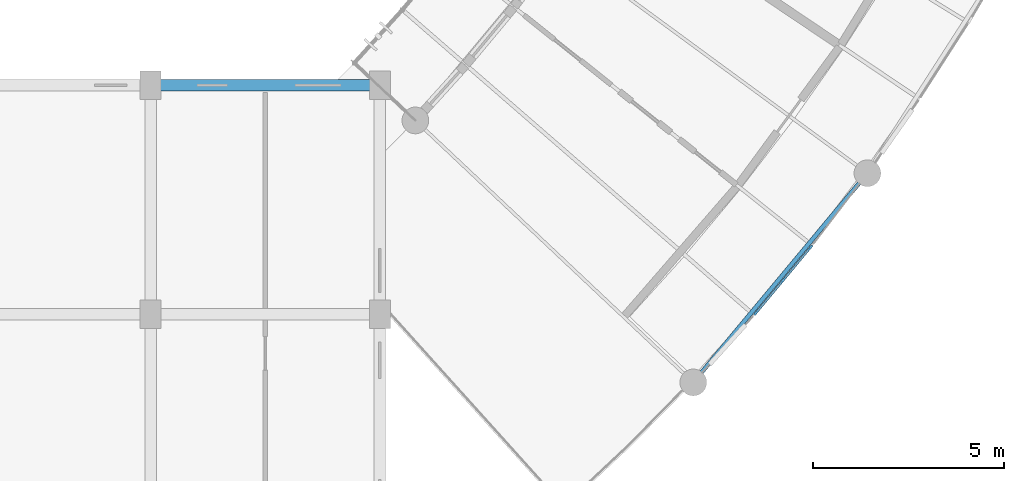
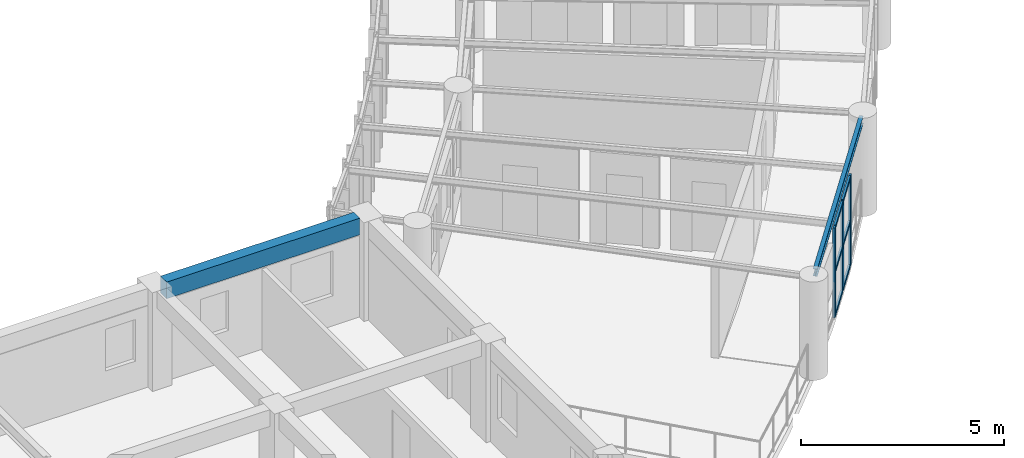
# One storey, part 10 of 100: 9 members, 2 beams, 1 element without a shape of its own.
"""IFC4 building model written with IfcOpenShell, lengths in metres."""

from ifc_helpers import new_model, si_unit, direction, frame, origin, origin_2d, place, context, subcontext, project, spatial, rectangle, i_section, extrude, material, layer, layer_set, material_profile, profile_set, type_object, element, aggregate, save


model = new_model("IFC4")

# Units and contexts
model_context = context("Model", 3, precision=1e-05, world=origin(), true_north=direction((0.0, 1.0)))
body_context = subcontext(model_context, "Body", "Model", "MODEL_VIEW")
ifc_project = project(units=[si_unit("LENGTHUNIT", "METRE"), si_unit("AREAUNIT", "SQUARE_METRE"), si_unit("VOLUMEUNIT", "CUBIC_METRE"), si_unit("PLANEANGLEUNIT", "RADIAN"), si_unit("MASSUNIT", "GRAM", prefix="KILO"), si_unit("POWERUNIT", "WATT"), si_unit("THERMODYNAMICTEMPERATUREUNIT", "KELVIN")], contexts=[model_context])

# Site, building, storey
site_placement = place(None, origin())
site = spatial("IfcSite", under=ifc_project, at=site_placement, CompositionType="ELEMENT")
building_placement = place(site_placement, origin())
building = spatial("IfcBuilding", under=site, at=building_placement, Name="Ruvembo Vaulted Housing Court", CompositionType="ELEMENT")
storey_placement = place(building_placement, frame((0.0, 0.0, 10.89990234375)))
storey = spatial("IfcBuildingStorey", under=building, at=storey_placement, Name="L03", CompositionType="ELEMENT", Elevation=10.89990234375)

# Beam
ifc_material_1 = material(Name="Steel S355J2", Category="steel")
ifc_material_profile_1 = material_profile(ifc_material_1, i_section(OverallWidth=0.110107421875, OverallDepth=0.219970703125, WebThickness=0.005859375, FlangeThickness=0.00927734375, FilletRadius=0.011962890625, at=origin_2d()), Name="IPE 220")
ifc_profile_set_1 = profile_set([ifc_material_profile_1], Name="Steel S355J2")
beam_type_1 = type_object("IfcBeamType", Name="BM-ST-IPE220", PredefinedType="SPANDREL", material=ifc_profile_set_1)
beam_1_placement = place(storey_placement, frame((44.35498046875, 34.39599609375, 2.83203125), z_axis=(0.639878120944, 0.768476408445, 0.0), x_axis=(-0.768476408445, 0.639878120944, 0.0)))
element("IfcBeam", 1, at=beam_1_placement, inside=storey, type_object=beam_type_1, Name="Scoop SC1 L03 Chord Girder B0", PredefinedType="SPANDREL", context=body_context, shape_type="SweptSolid", body=[
    extrude(i_section(OverallWidth=0.110107421875, OverallDepth=0.219970703125, WebThickness=0.005859375, FlangeThickness=0.00927734375, FilletRadius=0.011962890625, at=origin_2d()), origin(), (0.0, 0.0, 1.0), 6.66552734375),
])

# Curtain wall, members
ifc_material_2 = material(Name="Anodised Aluminium and Solar-Control Glass", Category="aluminium")
ifc_layer = layer(ifc_material_2, 0.1201171875, Name="Anodised Aluminium and Solar-Control Glass")
ifc_layer_set = layer_set([ifc_layer], Name="Anodised Aluminium and Solar-Control Glass")
curtain_wall_type = type_object("IfcCurtainWallType", Name="CW-SCOOP-GAL", PredefinedType="NOTDEFINED", material=ifc_layer_set)
curtain_wall_placement = place(storey_placement, origin())
curtain_wall = element("IfcCurtainWall", 2, at=curtain_wall_placement, inside=storey, type_object=curtain_wall_type, Name="L03 Curtain Wall CW-L03-0017", PredefinedType="NOTDEFINED")
ifc_material_3 = material(Name="Anodised Aluminium 6063-T6", Category="aluminium")
ifc_material_profile_2 = material_profile(ifc_material_3, rectangle(XDim=0.06005859375, YDim=0.159912109375, at=origin_2d()), Name="ALU 60x160")
ifc_profile_set_2 = profile_set([ifc_material_profile_2], Name="Anodised Aluminium 6063-T6")
member_type_1 = type_object("IfcMemberType", Name="CW-MULLION-65x150", PredefinedType="MULLION", material=ifc_profile_set_2)
member_1_placement = place(storey_placement, frame((45.853271484375, 36.043212890625, 0.0), z_axis=(0.0, 0.0, 1.0), x_axis=(-0.768484050303, 0.639868943167, 0.0)))
member_1 = element("IfcMember", 3, at=member_1_placement, type_object=member_type_1, Name="CW6 mullion 1", PredefinedType="MULLION", context=body_context, shape_type="SweptSolid", body=[
    extrude(rectangle(XDim=0.06005859375, YDim=0.159912109375, at=origin_2d()), origin(), (0.0, 0.0, 1.0), 2.697998046875),
])
member_2_placement = place(storey_placement, frame((46.562255859375, 36.89501953125, 0.0), z_axis=(0.0, 0.0, 1.0), x_axis=(-0.768484050303, 0.639868943167, 0.0)))
member_2 = element("IfcMember", 4, at=member_2_placement, type_object=member_type_1, Name="CW6 mullion 2", PredefinedType="MULLION", context=body_context, shape_type="SweptSolid", body=[
    extrude(rectangle(XDim=0.06005859375, YDim=0.159912109375, at=origin_2d()), origin(), (0.0, 0.0, 1.0), 2.697998046875),
])
member_3_placement = place(storey_placement, frame((47.271484375, 37.74658203125, 0.0), z_axis=(0.0, 0.0, 1.0), x_axis=(-0.768484050303, 0.639868943167, 0.0)))
member_3 = element("IfcMember", 5, at=member_3_placement, type_object=member_type_1, Name="CW6 mullion 3", PredefinedType="MULLION", context=body_context, shape_type="SweptSolid", body=[
    extrude(rectangle(XDim=0.06005859375, YDim=0.159912109375, at=origin_2d()), origin(), (0.0, 0.0, 1.0), 2.697998046875),
])
ifc_material_profile_3 = material_profile(ifc_material_3, rectangle(XDim=0.06005859375, YDim=0.10009765625, at=origin_2d()), Name="ALU 60x100")
ifc_profile_set_3 = profile_set([ifc_material_profile_3], Name="Anodised Aluminium 6063-T6")
member_type_2 = type_object("IfcMemberType", Name="CW-TRN-60x100", PredefinedType="USERDEFINED", material=ifc_profile_set_3)
member_4_placement = place(storey_placement, frame((45.872314453125, 36.06640625, 0.030029296875), z_axis=(0.640024024625, 0.768354897103, 0.0), x_axis=(-0.768354897103, 0.640024024625, 0.0)))
member_4 = element("IfcMember", 6, at=member_4_placement, type_object=member_type_2, Name="CW6 transom 1.1", ObjectType="TRANSOM", PredefinedType="USERDEFINED", context=body_context, shape_type="SweptSolid", body=[
    extrude(rectangle(XDim=0.06005859375, YDim=0.10009765625, at=origin_2d()), origin(), (0.0, 0.0, 1.0), 1.04833984375),
])
member_5_placement = place(storey_placement, frame((45.872314453125, 36.06640625, 1.34912109375), z_axis=(0.640024024625, 0.768354897103, 0.0), x_axis=(-0.768354897103, 0.640024024625, 0.0)))
member_5 = element("IfcMember", 7, at=member_5_placement, type_object=member_type_2, Name="CW6 transom 1.2", ObjectType="TRANSOM", PredefinedType="USERDEFINED", context=body_context, shape_type="SweptSolid", body=[
    extrude(rectangle(XDim=0.06005859375, YDim=0.10009765625, at=origin_2d()), origin(), (0.0, 0.0, 1.0), 1.04833984375),
])
member_6_placement = place(storey_placement, frame((45.872314453125, 36.06640625, 2.668212890625), z_axis=(0.640024024625, 0.768354897103, 0.0), x_axis=(-0.768354897103, 0.640024024625, 0.0)))
member_6 = element("IfcMember", 8, at=member_6_placement, type_object=member_type_2, Name="CW6 transom 1.3", ObjectType="TRANSOM", PredefinedType="USERDEFINED", context=body_context, shape_type="SweptSolid", body=[
    extrude(rectangle(XDim=0.06005859375, YDim=0.10009765625, at=origin_2d()), origin(), (0.0, 0.0, 1.0), 1.04833984375),
])
member_7_placement = place(storey_placement, frame((46.58154296875, 36.91796875, 0.030029296875), z_axis=(0.639771962699, 0.768564789555, 0.0), x_axis=(-0.768564789555, 0.639771962699, 0.0)))
member_7 = element("IfcMember", 9, at=member_7_placement, type_object=member_type_2, Name="CW6 transom 2.1", ObjectType="TRANSOM", PredefinedType="USERDEFINED", context=body_context, shape_type="SweptSolid", body=[
    extrude(rectangle(XDim=0.06005859375, YDim=0.10009765625, at=origin_2d()), origin(), (0.0, 0.0, 1.0), 1.04833984375),
])
member_8_placement = place(storey_placement, frame((46.58154296875, 36.91796875, 1.34912109375), z_axis=(0.639771962699, 0.768564789555, 0.0), x_axis=(-0.768564789555, 0.639771962699, 0.0)))
member_8 = element("IfcMember", 10, at=member_8_placement, type_object=member_type_2, Name="CW6 transom 2.2", ObjectType="TRANSOM", PredefinedType="USERDEFINED", context=body_context, shape_type="SweptSolid", body=[
    extrude(rectangle(XDim=0.06005859375, YDim=0.10009765625, at=origin_2d()), origin(), (0.0, 0.0, 1.0), 1.04833984375),
])
member_9_placement = place(storey_placement, frame((46.58154296875, 36.91796875, 2.668212890625), z_axis=(0.639771962699, 0.768564789555, 0.0), x_axis=(-0.768564789555, 0.639771962699, 0.0)))
member_9 = element("IfcMember", 11, at=member_9_placement, type_object=member_type_2, Name="CW6 transom 2.3", ObjectType="TRANSOM", PredefinedType="USERDEFINED", context=body_context, shape_type="SweptSolid", body=[
    extrude(rectangle(XDim=0.06005859375, YDim=0.10009765625, at=origin_2d()), origin(), (0.0, 0.0, 1.0), 1.04833984375),
])
aggregate(curtain_wall, [member_1, member_2, member_3, member_4, member_5, member_6, member_7, member_8, member_9])

# Beam
ifc_material_4 = material(Name="Concrete C35/45", Category="concrete")
ifc_material_profile_4 = material_profile(ifc_material_4, rectangle(XDim=0.300048828125, YDim=0.5, at=origin_2d()), Name="RC 300x500")
ifc_profile_set_4 = profile_set([ifc_material_profile_4], Name="Concrete C35/45")
beam_type_2 = type_object("IfcBeamType", Name="SP-RC-300x500", PredefinedType="SPANDREL", material=ifc_profile_set_4)
beam_2_placement = place(storey_placement, frame((30.260009765625, 42.0, 2.710205078125), z_axis=(1.0, 0.0, 0.0), x_axis=(0.0, 1.0, 0.0)))
element("IfcBeam", 12, at=beam_2_placement, inside=storey, type_object=beam_type_2, Name="L03 Grid Beam X #1782", PredefinedType="SPANDREL", context=body_context, shape_type="SweptSolid", body=[
    extrude(rectangle(XDim=0.300048828125, YDim=0.5, at=origin_2d()), origin(), (0.0, 0.0, 1.0), 5.47998046875),
])

save(model, "model.ifc")
